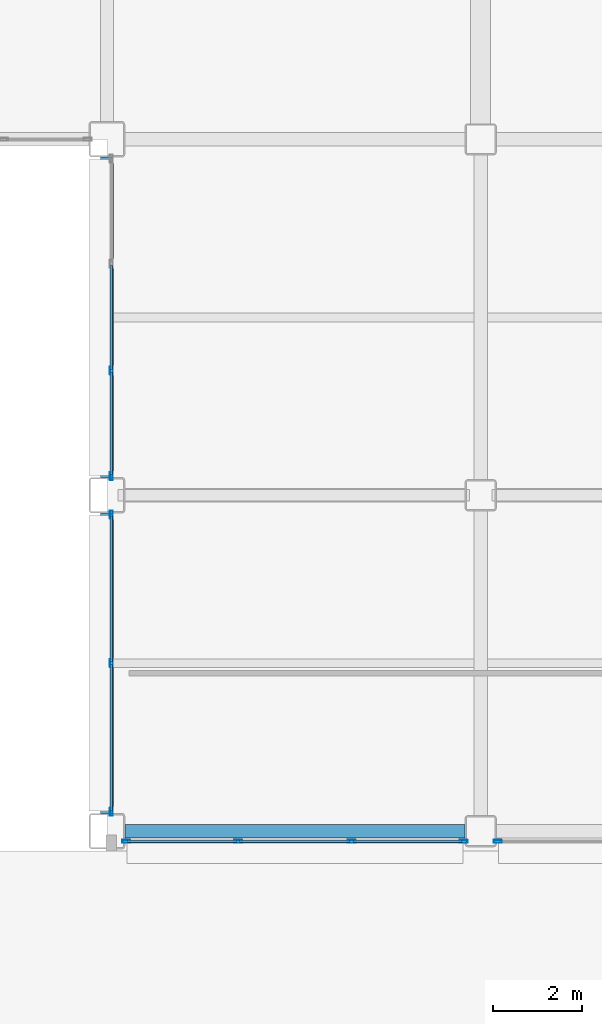
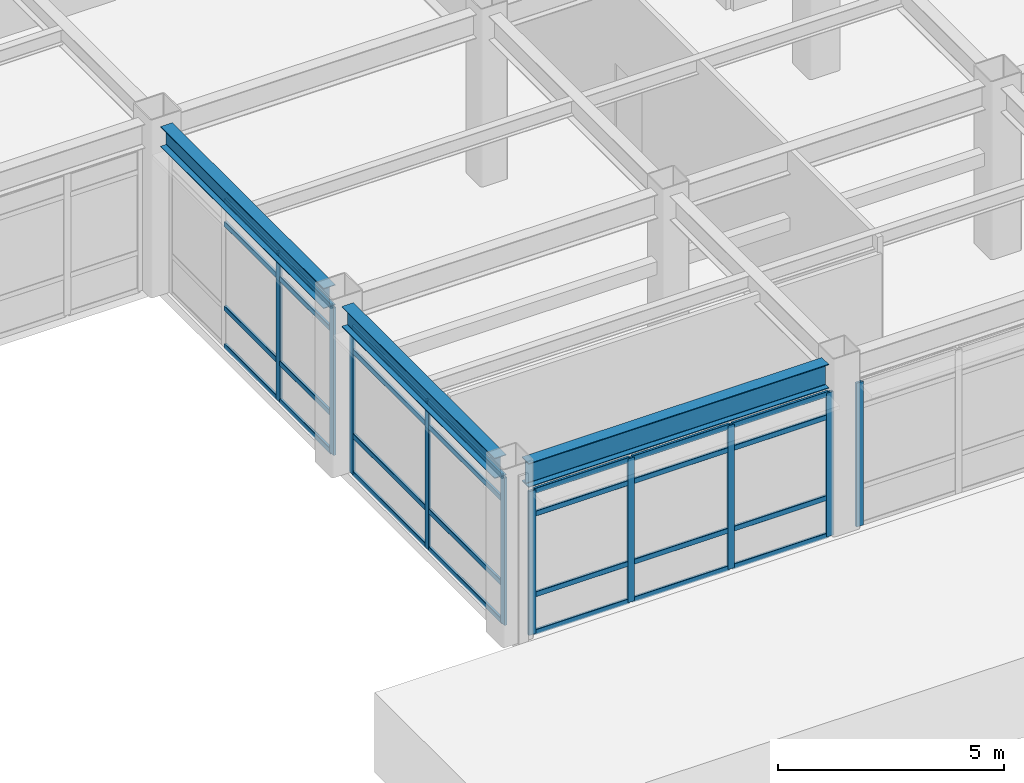
# One storey, part 91 of 172: 38 members, 3 beams, 4 elements without a shape of their own.
"""IFC4 building model written with IfcOpenShell, lengths in metres."""

from ifc_helpers import new_model, si_unit, direction, frame, origin, origin_2d, place, context, subcontext, project, spatial, hollow_rectangle, i_section, extrude, material, layer, layer_set, material_profile, profile_set, type_object, element, aggregate, save


model = new_model("IFC4")

# Units and contexts
model_context = context("Model", 3, precision=1e-05, world=origin(), true_north=direction((0.0, 1.0)))
body_context = subcontext(model_context, "Body", "Model", "MODEL_VIEW")
ifc_project = project(units=[si_unit("LENGTHUNIT", "METRE"), si_unit("AREAUNIT", "SQUARE_METRE"), si_unit("VOLUMEUNIT", "CUBIC_METRE"), si_unit("PLANEANGLEUNIT", "RADIAN"), si_unit("MASSUNIT", "GRAM", prefix="KILO")], contexts=[model_context])

# Site, building, storey
site_placement = place(None, origin())
site = spatial("IfcSite", under=ifc_project, at=site_placement, CompositionType="ELEMENT")
building_placement = place(site_placement, origin())
building = spatial("IfcBuilding", under=site, at=building_placement, Name="Kazehara Bluff Congress Hotel", CompositionType="ELEMENT")
storey_placement = place(building_placement, frame((0.0, 0.0, 5.39990234375)))
storey = spatial("IfcBuildingStorey", under=building, at=storey_placement, Name="L01", CompositionType="ELEMENT", Elevation=5.39990234375)

# Curtain wall, members
ifc_material_1 = material(Name="Anodised aluminium", Category="aluminium")
ifc_layer_1 = layer(ifc_material_1, 0.159912109375)
ifc_layer_set_1 = layer_set([ifc_layer_1], Name="Anodised aluminium")
curtain_wall_type_1 = type_object("IfcCurtainWallType", Name="TP-CW-22", PredefinedType="NOTDEFINED", material=ifc_layer_set_1)
curtain_wall_1_placement = place(storey_placement, origin())
curtain_wall_1 = element("IfcCurtainWall", 1, at=curtain_wall_1_placement, inside=storey, type_object=curtain_wall_type_1, Name="L01 curtain wall CW-22 CW-ENC-V5-L01-14793-22", PredefinedType="NOTDEFINED")
ifc_material_2 = material(Name="Anodised aluminium", Category="aluminium")
ifc_material_profile_1 = material_profile(ifc_material_2, hollow_rectangle(XDim=0.06494140625, YDim=0.179931640625, WallThickness=0.00390625, InnerFilletRadius=0.00390625, OuterFilletRadius=0.008056640625, at=origin_2d()))
ifc_profile_set_1 = profile_set([ifc_material_profile_1], Name="Anodised aluminium")
member_type_1 = type_object("IfcMemberType", Name="TP-CWM-02", PredefinedType="MULLION", material=ifc_profile_set_1)
member_1_placement = place(storey_placement, frame((151.717529296875, 0.219970703125, 0.0), z_axis=(0.0, 0.0, 1.0), x_axis=(0.0, -1.0, 0.0)))
member_1 = element("IfcMember", 2, at=member_1_placement, type_object=member_type_1, Name="CW-22 mullion 1", PredefinedType="MULLION", context=body_context, shape_type="SweptSolid", body=[
    extrude(hollow_rectangle(XDim=0.06494140625, YDim=0.179931640625, WallThickness=0.00390625, InnerFilletRadius=0.00390625, OuterFilletRadius=0.008056640625, at=origin_2d()), origin(), (0.0, 0.0, 1.0), 3.875),
])
member_2_placement = place(storey_placement, frame((149.199951171875, 0.219970703125, 0.0), z_axis=(0.0, 0.0, 1.0), x_axis=(0.0, -1.0, 0.0)))
member_2 = element("IfcMember", 3, at=member_2_placement, type_object=member_type_1, Name="CW-22 mullion 2", PredefinedType="MULLION", context=body_context, shape_type="SweptSolid", body=[
    extrude(hollow_rectangle(XDim=0.06494140625, YDim=0.179931640625, WallThickness=0.00390625, InnerFilletRadius=0.00390625, OuterFilletRadius=0.008056640625, at=origin_2d()), origin(), (0.0, 0.0, 1.0), 3.875),
])
member_3_placement = place(storey_placement, frame((146.64990234375, 0.219970703125, 0.0), z_axis=(0.0, 0.0, 1.0), x_axis=(0.0, -1.0, 0.0)))
member_3 = element("IfcMember", 4, at=member_3_placement, type_object=member_type_1, Name="CW-22 mullion 3", PredefinedType="MULLION", context=body_context, shape_type="SweptSolid", body=[
    extrude(hollow_rectangle(XDim=0.06494140625, YDim=0.179931640625, WallThickness=0.00390625, InnerFilletRadius=0.00390625, OuterFilletRadius=0.008056640625, at=origin_2d()), origin(), (0.0, 0.0, 1.0), 3.875),
])
member_4_placement = place(storey_placement, frame((144.132568359375, 0.219970703125, 0.0), z_axis=(0.0, 0.0, 1.0), x_axis=(0.0, -1.0, 0.0)))
member_4 = element("IfcMember", 5, at=member_4_placement, type_object=member_type_1, Name="CW-22 mullion 4", PredefinedType="MULLION", context=body_context, shape_type="SweptSolid", body=[
    extrude(hollow_rectangle(XDim=0.06494140625, YDim=0.179931640625, WallThickness=0.00390625, InnerFilletRadius=0.00390625, OuterFilletRadius=0.008056640625, at=origin_2d()), origin(), (0.0, 0.0, 1.0), 3.875),
])

# Curtain wall, member
curtain_wall_2_placement = place(storey_placement, origin())
curtain_wall_2 = element("IfcCurtainWall", 6, at=curtain_wall_2_placement, inside=storey, type_object=curtain_wall_type_1, Name="L01 curtain wall CW-22 CW-ENC-V5-L01-15627-22", PredefinedType="NOTDEFINED")
member_5_placement = place(storey_placement, frame((152.482421875, 0.219970703125, 0.0), z_axis=(0.0, 0.0, 1.0), x_axis=(0.0, -1.0, 0.0)))
member_5 = element("IfcMember", 7, at=member_5_placement, type_object=member_type_1, Name="CW-22 mullion 4", PredefinedType="MULLION", context=body_context, shape_type="SweptSolid", body=[
    extrude(hollow_rectangle(XDim=0.06494140625, YDim=0.179931640625, WallThickness=0.00390625, InnerFilletRadius=0.00390625, OuterFilletRadius=0.008056640625, at=origin_2d()), origin(), (0.0, 0.0, 1.0), 3.875),
])
aggregate(curtain_wall_2, [member_5])

# Curtain wall, members
ifc_material_3 = material(Name="Anodised aluminium", Category="aluminium")
ifc_layer_2 = layer(ifc_material_3, 0.159912109375)
ifc_layer_set_2 = layer_set([ifc_layer_2], Name="Anodised aluminium")
curtain_wall_type_2 = type_object("IfcCurtainWallType", Name="TP-CW-122", PredefinedType="NOTDEFINED", material=ifc_layer_set_2)
curtain_wall_3_placement = place(storey_placement, origin())
curtain_wall_3 = element("IfcCurtainWall", 8, at=curtain_wall_3_placement, inside=storey, type_object=curtain_wall_type_2, Name="L01 curtain wall CW-122 CW-ENC-V5-L01-14380-422", PredefinedType="NOTDEFINED")
member_6_placement = place(storey_placement, frame((143.800048828125, 0.882568359375, 0.0), z_axis=(0.0, 0.0, 1.0), x_axis=(-1.0, 0.0, 0.0)))
member_6 = element("IfcMember", 9, at=member_6_placement, type_object=member_type_1, Name="CW-122 mullion 1", PredefinedType="MULLION", context=body_context, shape_type="SweptSolid", body=[
    extrude(hollow_rectangle(XDim=0.06494140625, YDim=0.179931640625, WallThickness=0.00390625, InnerFilletRadius=0.00390625, OuterFilletRadius=0.008056640625, at=origin_2d()), origin(), (0.0, 0.0, 1.0), 3.97509765625),
])
member_7_placement = place(storey_placement, frame((143.800048828125, 4.22509765625, 0.0), z_axis=(0.0, 0.0, 1.0), x_axis=(-1.0, 0.0, 0.0)))
member_7 = element("IfcMember", 10, at=member_7_placement, type_object=member_type_1, Name="CW-122 mullion 2", PredefinedType="MULLION", context=body_context, shape_type="SweptSolid", body=[
    extrude(hollow_rectangle(XDim=0.06494140625, YDim=0.179931640625, WallThickness=0.00390625, InnerFilletRadius=0.00390625, OuterFilletRadius=0.008056640625, at=origin_2d()), origin(), (0.0, 0.0, 1.0), 3.97509765625),
])
member_8_placement = place(storey_placement, frame((143.800048828125, 7.5673828125, 0.0), z_axis=(0.0, 0.0, 1.0), x_axis=(-1.0, 0.0, 0.0)))
member_8 = element("IfcMember", 11, at=member_8_placement, type_object=member_type_1, Name="CW-122 mullion 3", PredefinedType="MULLION", context=body_context, shape_type="SweptSolid", body=[
    extrude(hollow_rectangle(XDim=0.06494140625, YDim=0.179931640625, WallThickness=0.00390625, InnerFilletRadius=0.00390625, OuterFilletRadius=0.008056640625, at=origin_2d()), origin(), (0.0, 0.0, 1.0), 3.97509765625),
])

ifc_material_4 = material(Name="Anodised aluminium", Category="aluminium")
ifc_layer_3 = layer(ifc_material_4, 0.159912109375)
ifc_layer_set_3 = layer_set([ifc_layer_3], Name="Anodised aluminium")
curtain_wall_type_3 = type_object("IfcCurtainWallType", Name="TP-CW-120", PredefinedType="NOTDEFINED", material=ifc_layer_set_3)
curtain_wall_4_placement = place(storey_placement, origin())
curtain_wall_4 = element("IfcCurtainWall", 12, at=curtain_wall_4_placement, inside=storey, type_object=curtain_wall_type_3, Name="L01 curtain wall CW-120 CW-ENC-V5-L01-14380-1200", PredefinedType="NOTDEFINED")
member_9_placement = place(storey_placement, frame((143.800048828125, 8.4326171875, 0.0), z_axis=(0.0, 0.0, 1.0), x_axis=(-1.0, 0.0, 0.0)))
member_9 = element("IfcMember", 13, at=member_9_placement, type_object=member_type_1, Name="CW-120 mullion 1", PredefinedType="MULLION", context=body_context, shape_type="SweptSolid", body=[
    extrude(hollow_rectangle(XDim=0.06494140625, YDim=0.179931640625, WallThickness=0.00390625, InnerFilletRadius=0.00390625, OuterFilletRadius=0.008056640625, at=origin_2d()), origin(), (0.0, 0.0, 1.0), 3.97509765625),
])
member_10_placement = place(storey_placement, frame((143.800048828125, 10.800048828125, 0.0), z_axis=(0.0, 0.0, 1.0), x_axis=(-1.0, 0.0, 0.0)))
member_10 = element("IfcMember", 14, at=member_10_placement, type_object=member_type_1, Name="CW-120 mullion 2", PredefinedType="MULLION", context=body_context, shape_type="SweptSolid", body=[
    extrude(hollow_rectangle(XDim=0.06494140625, YDim=0.179931640625, WallThickness=0.00390625, InnerFilletRadius=0.00390625, OuterFilletRadius=0.008056640625, at=origin_2d()), origin(), (0.0, 0.0, 1.0), 3.97509765625),
])

# Member
ifc_material_5 = material(Name="Anodised aluminium", Category="aluminium")
ifc_material_profile_2 = material_profile(ifc_material_5, hollow_rectangle(XDim=0.06494140625, YDim=0.139892578125, WallThickness=0.00390625, InnerFilletRadius=0.00390625, OuterFilletRadius=0.008056640625, at=origin_2d()))
ifc_profile_set_2 = profile_set([ifc_material_profile_2], Name="Anodised aluminium")
member_type_2 = type_object("IfcMemberType", Name="TP-CWT-02", PredefinedType="USERDEFINED", material=ifc_profile_set_2)
member_11_placement = place(storey_placement, frame((151.68505859375, 0.219970703125, 0.03271484375), z_axis=(-1.0, 0.0, 0.0), x_axis=(0.0, -1.0, 0.0)))
member_11 = element("IfcMember", 15, at=member_11_placement, type_object=member_type_2, Name="CW-22 transom 1.1", ObjectType="TRANSOM", PredefinedType="USERDEFINED", context=body_context, shape_type="SweptSolid", body=[
    extrude(hollow_rectangle(XDim=0.06494140625, YDim=0.139892578125, WallThickness=0.00390625, InnerFilletRadius=0.00390625, OuterFilletRadius=0.008056640625, at=origin_2d()), origin(), (0.0, 0.0, 1.0), 2.45263671875),
])

member_12_placement = place(storey_placement, frame((151.68505859375, 0.219970703125, 1.050048828125), z_axis=(-1.0, 0.0, 0.0), x_axis=(0.0, -1.0, 0.0)))
member_12 = element("IfcMember", 16, at=member_12_placement, type_object=member_type_2, Name="CW-22 transom 1.2", ObjectType="TRANSOM", PredefinedType="USERDEFINED", context=body_context, shape_type="SweptSolid", body=[
    extrude(hollow_rectangle(XDim=0.06494140625, YDim=0.139892578125, WallThickness=0.00390625, InnerFilletRadius=0.00390625, OuterFilletRadius=0.008056640625, at=origin_2d()), origin(), (0.0, 0.0, 1.0), 2.45263671875),
])

member_13_placement = place(storey_placement, frame((151.68505859375, 0.219970703125, 3.22509765625), z_axis=(-1.0, 0.0, 0.0), x_axis=(0.0, -1.0, 0.0)))
member_13 = element("IfcMember", 17, at=member_13_placement, type_object=member_type_2, Name="CW-22 transom 1.3", ObjectType="TRANSOM", PredefinedType="USERDEFINED", context=body_context, shape_type="SweptSolid", body=[
    extrude(hollow_rectangle(XDim=0.06494140625, YDim=0.139892578125, WallThickness=0.00390625, InnerFilletRadius=0.00390625, OuterFilletRadius=0.008056640625, at=origin_2d()), origin(), (0.0, 0.0, 1.0), 2.45263671875),
])

member_14_placement = place(storey_placement, frame((151.68505859375, 0.219970703125, 3.842529296875), z_axis=(-1.0, 0.0, 0.0), x_axis=(0.0, -1.0, 0.0)))
member_14 = element("IfcMember", 18, at=member_14_placement, type_object=member_type_2, Name="CW-22 transom 1.4", ObjectType="TRANSOM", PredefinedType="USERDEFINED", context=body_context, shape_type="SweptSolid", body=[
    extrude(hollow_rectangle(XDim=0.06494140625, YDim=0.139892578125, WallThickness=0.00390625, InnerFilletRadius=0.00390625, OuterFilletRadius=0.008056640625, at=origin_2d()), origin(), (0.0, 0.0, 1.0), 2.45263671875),
])

member_15_placement = place(storey_placement, frame((149.16748046875, 0.219970703125, 0.03271484375), z_axis=(-1.0, 0.0, 0.0), x_axis=(0.0, -1.0, 0.0)))
member_15 = element("IfcMember", 19, at=member_15_placement, type_object=member_type_2, Name="CW-22 transom 2.1", ObjectType="TRANSOM", PredefinedType="USERDEFINED", context=body_context, shape_type="SweptSolid", body=[
    extrude(hollow_rectangle(XDim=0.06494140625, YDim=0.139892578125, WallThickness=0.00390625, InnerFilletRadius=0.00390625, OuterFilletRadius=0.008056640625, at=origin_2d()), origin(), (0.0, 0.0, 1.0), 2.48486328125),
])

member_16_placement = place(storey_placement, frame((149.16748046875, 0.219970703125, 1.050048828125), z_axis=(-1.0, 0.0, 0.0), x_axis=(0.0, -1.0, 0.0)))
member_16 = element("IfcMember", 20, at=member_16_placement, type_object=member_type_2, Name="CW-22 transom 2.2", ObjectType="TRANSOM", PredefinedType="USERDEFINED", context=body_context, shape_type="SweptSolid", body=[
    extrude(hollow_rectangle(XDim=0.06494140625, YDim=0.139892578125, WallThickness=0.00390625, InnerFilletRadius=0.00390625, OuterFilletRadius=0.008056640625, at=origin_2d()), origin(), (0.0, 0.0, 1.0), 2.48486328125),
])

member_17_placement = place(storey_placement, frame((149.16748046875, 0.219970703125, 3.22509765625), z_axis=(-1.0, 0.0, 0.0), x_axis=(0.0, -1.0, 0.0)))
member_17 = element("IfcMember", 21, at=member_17_placement, type_object=member_type_2, Name="CW-22 transom 2.3", ObjectType="TRANSOM", PredefinedType="USERDEFINED", context=body_context, shape_type="SweptSolid", body=[
    extrude(hollow_rectangle(XDim=0.06494140625, YDim=0.139892578125, WallThickness=0.00390625, InnerFilletRadius=0.00390625, OuterFilletRadius=0.008056640625, at=origin_2d()), origin(), (0.0, 0.0, 1.0), 2.48486328125),
])

member_18_placement = place(storey_placement, frame((149.16748046875, 0.219970703125, 3.842529296875), z_axis=(-1.0, 0.0, 0.0), x_axis=(0.0, -1.0, 0.0)))
member_18 = element("IfcMember", 22, at=member_18_placement, type_object=member_type_2, Name="CW-22 transom 2.4", ObjectType="TRANSOM", PredefinedType="USERDEFINED", context=body_context, shape_type="SweptSolid", body=[
    extrude(hollow_rectangle(XDim=0.06494140625, YDim=0.139892578125, WallThickness=0.00390625, InnerFilletRadius=0.00390625, OuterFilletRadius=0.008056640625, at=origin_2d()), origin(), (0.0, 0.0, 1.0), 2.48486328125),
])

member_19_placement = place(storey_placement, frame((146.617431640625, 0.219970703125, 0.03271484375), z_axis=(-1.0, 0.0, 0.0), x_axis=(0.0, -1.0, 0.0)))
member_19 = element("IfcMember", 23, at=member_19_placement, type_object=member_type_2, Name="CW-22 transom 3.1", ObjectType="TRANSOM", PredefinedType="USERDEFINED", context=body_context, shape_type="SweptSolid", body=[
    extrude(hollow_rectangle(XDim=0.06494140625, YDim=0.139892578125, WallThickness=0.00390625, InnerFilletRadius=0.00390625, OuterFilletRadius=0.008056640625, at=origin_2d()), origin(), (0.0, 0.0, 1.0), 2.452392578125),
])

member_20_placement = place(storey_placement, frame((146.617431640625, 0.219970703125, 1.050048828125), z_axis=(-1.0, 0.0, 0.0), x_axis=(0.0, -1.0, 0.0)))
member_20 = element("IfcMember", 24, at=member_20_placement, type_object=member_type_2, Name="CW-22 transom 3.2", ObjectType="TRANSOM", PredefinedType="USERDEFINED", context=body_context, shape_type="SweptSolid", body=[
    extrude(hollow_rectangle(XDim=0.06494140625, YDim=0.139892578125, WallThickness=0.00390625, InnerFilletRadius=0.00390625, OuterFilletRadius=0.008056640625, at=origin_2d()), origin(), (0.0, 0.0, 1.0), 2.452392578125),
])

member_21_placement = place(storey_placement, frame((146.617431640625, 0.219970703125, 3.22509765625), z_axis=(-1.0, 0.0, 0.0), x_axis=(0.0, -1.0, 0.0)))
member_21 = element("IfcMember", 25, at=member_21_placement, type_object=member_type_2, Name="CW-22 transom 3.3", ObjectType="TRANSOM", PredefinedType="USERDEFINED", context=body_context, shape_type="SweptSolid", body=[
    extrude(hollow_rectangle(XDim=0.06494140625, YDim=0.139892578125, WallThickness=0.00390625, InnerFilletRadius=0.00390625, OuterFilletRadius=0.008056640625, at=origin_2d()), origin(), (0.0, 0.0, 1.0), 2.452392578125),
])

member_22_placement = place(storey_placement, frame((146.617431640625, 0.219970703125, 3.842529296875), z_axis=(-1.0, 0.0, 0.0), x_axis=(0.0, -1.0, 0.0)))
member_22 = element("IfcMember", 26, at=member_22_placement, type_object=member_type_2, Name="CW-22 transom 3.4", ObjectType="TRANSOM", PredefinedType="USERDEFINED", context=body_context, shape_type="SweptSolid", body=[
    extrude(hollow_rectangle(XDim=0.06494140625, YDim=0.139892578125, WallThickness=0.00390625, InnerFilletRadius=0.00390625, OuterFilletRadius=0.008056640625, at=origin_2d()), origin(), (0.0, 0.0, 1.0), 2.452392578125),
])

aggregate(curtain_wall_1, [member_1, member_2, member_3, member_4, member_11, member_12, member_13, member_14, member_15, member_16, member_17, member_18, member_19, member_20, member_21, member_22])

member_23_placement = place(storey_placement, frame((143.800048828125, 0.9150390625, 0.03271484375), z_axis=(0.0, 1.0, 0.0), x_axis=(-1.0, 0.0, 0.0)))
member_23 = element("IfcMember", 27, at=member_23_placement, type_object=member_type_2, Name="CW-122 transom 1.1", ObjectType="TRANSOM", PredefinedType="USERDEFINED", context=body_context, shape_type="SweptSolid", body=[
    extrude(hollow_rectangle(XDim=0.06494140625, YDim=0.139892578125, WallThickness=0.00390625, InnerFilletRadius=0.00390625, OuterFilletRadius=0.008056640625, at=origin_2d()), origin(), (0.0, 0.0, 1.0), 3.27734375),
])

member_24_placement = place(storey_placement, frame((143.800048828125, 0.9150390625, 1.050048828125), z_axis=(0.0, 1.0, 0.0), x_axis=(-1.0, 0.0, 0.0)))
member_24 = element("IfcMember", 28, at=member_24_placement, type_object=member_type_2, Name="CW-122 transom 1.2", ObjectType="TRANSOM", PredefinedType="USERDEFINED", context=body_context, shape_type="SweptSolid", body=[
    extrude(hollow_rectangle(XDim=0.06494140625, YDim=0.139892578125, WallThickness=0.00390625, InnerFilletRadius=0.00390625, OuterFilletRadius=0.008056640625, at=origin_2d()), origin(), (0.0, 0.0, 1.0), 3.27734375),
])

member_25_placement = place(storey_placement, frame((143.800048828125, 0.9150390625, 3.3251953125), z_axis=(0.0, 1.0, 0.0), x_axis=(-1.0, 0.0, 0.0)))
member_25 = element("IfcMember", 29, at=member_25_placement, type_object=member_type_2, Name="CW-122 transom 1.3", ObjectType="TRANSOM", PredefinedType="USERDEFINED", context=body_context, shape_type="SweptSolid", body=[
    extrude(hollow_rectangle(XDim=0.06494140625, YDim=0.139892578125, WallThickness=0.00390625, InnerFilletRadius=0.00390625, OuterFilletRadius=0.008056640625, at=origin_2d()), origin(), (0.0, 0.0, 1.0), 3.27734375),
])

member_26_placement = place(storey_placement, frame((143.800048828125, 0.9150390625, 3.942626953125), z_axis=(0.0, 1.0, 0.0), x_axis=(-1.0, 0.0, 0.0)))
member_26 = element("IfcMember", 30, at=member_26_placement, type_object=member_type_2, Name="CW-122 transom 1.4", ObjectType="TRANSOM", PredefinedType="USERDEFINED", context=body_context, shape_type="SweptSolid", body=[
    extrude(hollow_rectangle(XDim=0.06494140625, YDim=0.139892578125, WallThickness=0.00390625, InnerFilletRadius=0.00390625, OuterFilletRadius=0.008056640625, at=origin_2d()), origin(), (0.0, 0.0, 1.0), 3.27734375),
])

member_27_placement = place(storey_placement, frame((143.800048828125, 4.257568359375, 0.03271484375), z_axis=(0.0, 1.0, 0.0), x_axis=(-1.0, 0.0, 0.0)))
member_27 = element("IfcMember", 31, at=member_27_placement, type_object=member_type_2, Name="CW-122 transom 2.1", ObjectType="TRANSOM", PredefinedType="USERDEFINED", context=body_context, shape_type="SweptSolid", body=[
    extrude(hollow_rectangle(XDim=0.06494140625, YDim=0.139892578125, WallThickness=0.00390625, InnerFilletRadius=0.00390625, OuterFilletRadius=0.008056640625, at=origin_2d()), origin(), (0.0, 0.0, 1.0), 3.27734375),
])

member_28_placement = place(storey_placement, frame((143.800048828125, 4.257568359375, 1.050048828125), z_axis=(0.0, 1.0, 0.0), x_axis=(-1.0, 0.0, 0.0)))
member_28 = element("IfcMember", 32, at=member_28_placement, type_object=member_type_2, Name="CW-122 transom 2.2", ObjectType="TRANSOM", PredefinedType="USERDEFINED", context=body_context, shape_type="SweptSolid", body=[
    extrude(hollow_rectangle(XDim=0.06494140625, YDim=0.139892578125, WallThickness=0.00390625, InnerFilletRadius=0.00390625, OuterFilletRadius=0.008056640625, at=origin_2d()), origin(), (0.0, 0.0, 1.0), 3.27734375),
])

member_29_placement = place(storey_placement, frame((143.800048828125, 4.257568359375, 3.3251953125), z_axis=(0.0, 1.0, 0.0), x_axis=(-1.0, 0.0, 0.0)))
member_29 = element("IfcMember", 33, at=member_29_placement, type_object=member_type_2, Name="CW-122 transom 2.3", ObjectType="TRANSOM", PredefinedType="USERDEFINED", context=body_context, shape_type="SweptSolid", body=[
    extrude(hollow_rectangle(XDim=0.06494140625, YDim=0.139892578125, WallThickness=0.00390625, InnerFilletRadius=0.00390625, OuterFilletRadius=0.008056640625, at=origin_2d()), origin(), (0.0, 0.0, 1.0), 3.27734375),
])

member_30_placement = place(storey_placement, frame((143.800048828125, 4.257568359375, 3.942626953125), z_axis=(0.0, 1.0, 0.0), x_axis=(-1.0, 0.0, 0.0)))
member_30 = element("IfcMember", 34, at=member_30_placement, type_object=member_type_2, Name="CW-122 transom 2.4", ObjectType="TRANSOM", PredefinedType="USERDEFINED", context=body_context, shape_type="SweptSolid", body=[
    extrude(hollow_rectangle(XDim=0.06494140625, YDim=0.139892578125, WallThickness=0.00390625, InnerFilletRadius=0.00390625, OuterFilletRadius=0.008056640625, at=origin_2d()), origin(), (0.0, 0.0, 1.0), 3.27734375),
])

aggregate(curtain_wall_3, [member_6, member_7, member_8, member_23, member_24, member_25, member_26, member_27, member_28, member_29, member_30])

member_31_placement = place(storey_placement, frame((143.800048828125, 8.465087890625, 0.03271484375), z_axis=(0.0, 1.0, 0.0), x_axis=(-1.0, 0.0, 0.0)))
member_31 = element("IfcMember", 35, at=member_31_placement, type_object=member_type_2, Name="CW-120 transom 1.1", ObjectType="TRANSOM", PredefinedType="USERDEFINED", context=body_context, shape_type="SweptSolid", body=[
    extrude(hollow_rectangle(XDim=0.06494140625, YDim=0.139892578125, WallThickness=0.00390625, InnerFilletRadius=0.00390625, OuterFilletRadius=0.008056640625, at=origin_2d()), origin(), (0.0, 0.0, 1.0), 2.302490234375),
])

member_32_placement = place(storey_placement, frame((143.800048828125, 8.465087890625, 1.050048828125), z_axis=(0.0, 1.0, 0.0), x_axis=(-1.0, 0.0, 0.0)))
member_32 = element("IfcMember", 36, at=member_32_placement, type_object=member_type_2, Name="CW-120 transom 1.2", ObjectType="TRANSOM", PredefinedType="USERDEFINED", context=body_context, shape_type="SweptSolid", body=[
    extrude(hollow_rectangle(XDim=0.06494140625, YDim=0.139892578125, WallThickness=0.00390625, InnerFilletRadius=0.00390625, OuterFilletRadius=0.008056640625, at=origin_2d()), origin(), (0.0, 0.0, 1.0), 2.302490234375),
])

member_33_placement = place(storey_placement, frame((143.800048828125, 8.465087890625, 3.3251953125), z_axis=(0.0, 1.0, 0.0), x_axis=(-1.0, 0.0, 0.0)))
member_33 = element("IfcMember", 37, at=member_33_placement, type_object=member_type_2, Name="CW-120 transom 1.3", ObjectType="TRANSOM", PredefinedType="USERDEFINED", context=body_context, shape_type="SweptSolid", body=[
    extrude(hollow_rectangle(XDim=0.06494140625, YDim=0.139892578125, WallThickness=0.00390625, InnerFilletRadius=0.00390625, OuterFilletRadius=0.008056640625, at=origin_2d()), origin(), (0.0, 0.0, 1.0), 2.302490234375),
])

member_34_placement = place(storey_placement, frame((143.800048828125, 8.465087890625, 3.942626953125), z_axis=(0.0, 1.0, 0.0), x_axis=(-1.0, 0.0, 0.0)))
member_34 = element("IfcMember", 38, at=member_34_placement, type_object=member_type_2, Name="CW-120 transom 1.4", ObjectType="TRANSOM", PredefinedType="USERDEFINED", context=body_context, shape_type="SweptSolid", body=[
    extrude(hollow_rectangle(XDim=0.06494140625, YDim=0.139892578125, WallThickness=0.00390625, InnerFilletRadius=0.00390625, OuterFilletRadius=0.008056640625, at=origin_2d()), origin(), (0.0, 0.0, 1.0), 2.302490234375),
])

member_35_placement = place(storey_placement, frame((143.800048828125, 10.83251953125, 0.03271484375), z_axis=(0.0, 1.0, 0.0), x_axis=(-1.0, 0.0, 0.0)))
member_35 = element("IfcMember", 39, at=member_35_placement, type_object=member_type_2, Name="CW-120 transom 2.1", ObjectType="TRANSOM", PredefinedType="USERDEFINED", context=body_context, shape_type="SweptSolid", body=[
    extrude(hollow_rectangle(XDim=0.06494140625, YDim=0.139892578125, WallThickness=0.00390625, InnerFilletRadius=0.00390625, OuterFilletRadius=0.008056640625, at=origin_2d()), origin(), (0.0, 0.0, 1.0), 2.3349609375),
])

member_36_placement = place(storey_placement, frame((143.800048828125, 10.83251953125, 1.050048828125), z_axis=(0.0, 1.0, 0.0), x_axis=(-1.0, 0.0, 0.0)))
member_36 = element("IfcMember", 40, at=member_36_placement, type_object=member_type_2, Name="CW-120 transom 2.2", ObjectType="TRANSOM", PredefinedType="USERDEFINED", context=body_context, shape_type="SweptSolid", body=[
    extrude(hollow_rectangle(XDim=0.06494140625, YDim=0.139892578125, WallThickness=0.00390625, InnerFilletRadius=0.00390625, OuterFilletRadius=0.008056640625, at=origin_2d()), origin(), (0.0, 0.0, 1.0), 2.3349609375),
])

member_37_placement = place(storey_placement, frame((143.800048828125, 10.83251953125, 3.3251953125), z_axis=(0.0, 1.0, 0.0), x_axis=(-1.0, 0.0, 0.0)))
member_37 = element("IfcMember", 41, at=member_37_placement, type_object=member_type_2, Name="CW-120 transom 2.3", ObjectType="TRANSOM", PredefinedType="USERDEFINED", context=body_context, shape_type="SweptSolid", body=[
    extrude(hollow_rectangle(XDim=0.06494140625, YDim=0.139892578125, WallThickness=0.00390625, InnerFilletRadius=0.00390625, OuterFilletRadius=0.008056640625, at=origin_2d()), origin(), (0.0, 0.0, 1.0), 2.3349609375),
])

member_38_placement = place(storey_placement, frame((143.800048828125, 10.83251953125, 3.942626953125), z_axis=(0.0, 1.0, 0.0), x_axis=(-1.0, 0.0, 0.0)))
member_38 = element("IfcMember", 42, at=member_38_placement, type_object=member_type_2, Name="CW-120 transom 2.4", ObjectType="TRANSOM", PredefinedType="USERDEFINED", context=body_context, shape_type="SweptSolid", body=[
    extrude(hollow_rectangle(XDim=0.06494140625, YDim=0.139892578125, WallThickness=0.00390625, InnerFilletRadius=0.00390625, OuterFilletRadius=0.008056640625, at=origin_2d()), origin(), (0.0, 0.0, 1.0), 2.3349609375),
])

aggregate(curtain_wall_4, [member_9, member_10, member_31, member_32, member_33, member_34, member_35, member_36, member_37, member_38])

# Beams
ifc_material_6 = material(Name="Steel SN490B", Category="steel")
ifc_material_profile_3 = material_profile(ifc_material_6, i_section(OverallWidth=0.300048828125, OverallDepth=0.64990234375, WebThickness=0.011962890625, FlangeThickness=0.02001953125, FilletRadius=0.012939453125, at=origin_2d()))
ifc_profile_set_3 = profile_set([ifc_material_profile_3], Name="Steel SN490B")
beam_type_1 = type_object("IfcBeamType", Name="TP-G-03", PredefinedType="BEAM", material=ifc_profile_set_3)
beam_1_placement = place(storey_placement, frame((144.10009765625, 0.449951171875, 4.22509765625), z_axis=(1.0, 0.0, 0.0), x_axis=(0.0, 1.0, 0.0)))
element("IfcBeam", 43, at=beam_1_placement, inside=storey, type_object=beam_type_1, Name="L01 girder G-03 271", PredefinedType="BEAM", context=body_context, shape_type="SweptSolid", body=[
    extrude(i_section(OverallWidth=0.300048828125, OverallDepth=0.64990234375, WebThickness=0.011962890625, FlangeThickness=0.02001953125, FilletRadius=0.012939453125, at=origin_2d()), origin(), (0.0, 0.0, 1.0), 7.64990234375),
])
ifc_material_7 = material(Name="Steel SN490B", Category="steel")
ifc_material_profile_4 = material_profile(ifc_material_7, i_section(OverallWidth=0.300048828125, OverallDepth=0.550048828125, WebThickness=0.010986328125, FlangeThickness=0.01806640625, FilletRadius=0.012939453125, at=origin_2d()))
ifc_profile_set_4 = profile_set([ifc_material_profile_4], Name="Steel SN490B")
beam_type_2 = type_object("IfcBeamType", Name="TP-SP-01", PredefinedType="SPANDREL", material=ifc_profile_set_4)
beam_2_placement = place(storey_placement, frame((143.699951171875, 0.85009765625, 4.275146484375), z_axis=(0.0, 1.0, 0.0), x_axis=(-1.0, 0.0, 0.0)))
element("IfcBeam", 44, at=beam_2_placement, inside=storey, type_object=beam_type_2, Name="L01 girder SP-01 229", PredefinedType="SPANDREL", context=body_context, shape_type="SweptSolid", body=[
    extrude(i_section(OverallWidth=0.300048828125, OverallDepth=0.550048828125, WebThickness=0.010986328125, FlangeThickness=0.01806640625, FilletRadius=0.012939453125, at=origin_2d()), origin(), (0.0, 0.0, 1.0), 6.75),
])
beam_3_placement = place(storey_placement, frame((143.699951171875, 8.39990234375, 4.275146484375), z_axis=(0.0, 1.0, 0.0), x_axis=(-1.0, 0.0, 0.0)))
element("IfcBeam", 45, at=beam_3_placement, inside=storey, type_object=beam_type_2, Name="L01 girder SP-01 230", PredefinedType="SPANDREL", context=body_context, shape_type="SweptSolid", body=[
    extrude(i_section(OverallWidth=0.300048828125, OverallDepth=0.550048828125, WebThickness=0.010986328125, FlangeThickness=0.01806640625, FilletRadius=0.012939453125, at=origin_2d()), origin(), (0.0, 0.0, 1.0), 7.2001953125),
])

save(model, "model.ifc")
